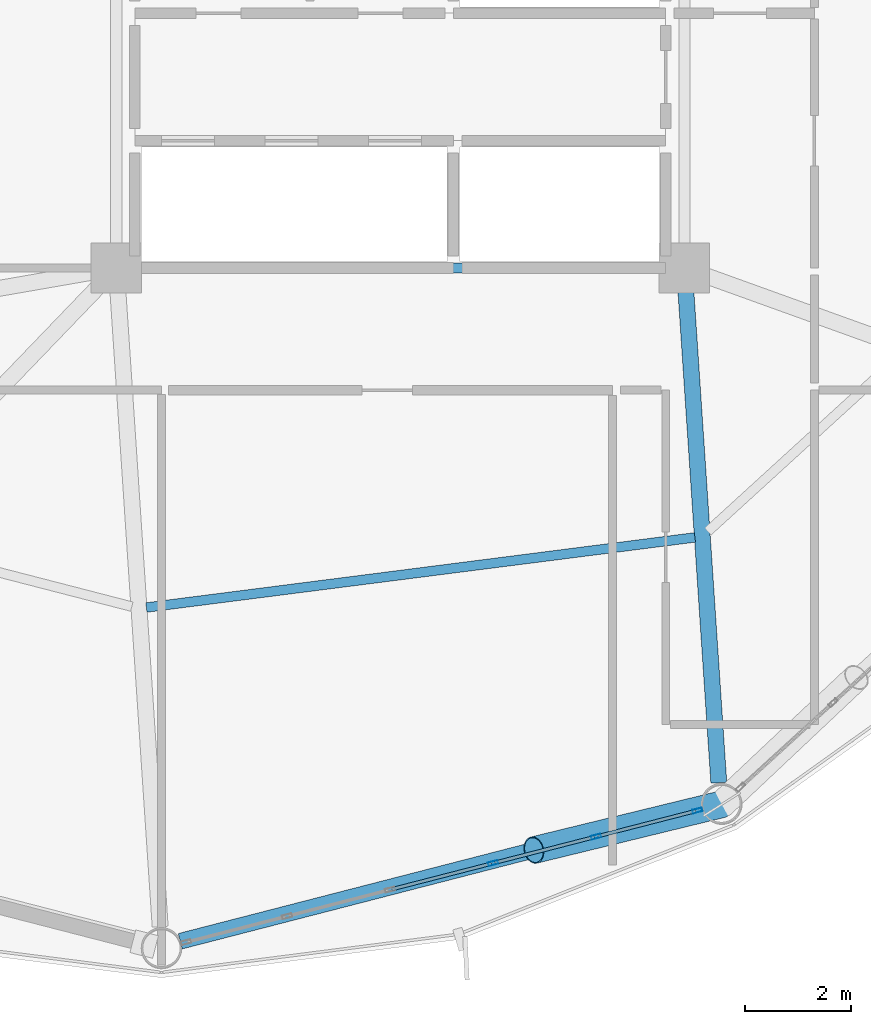
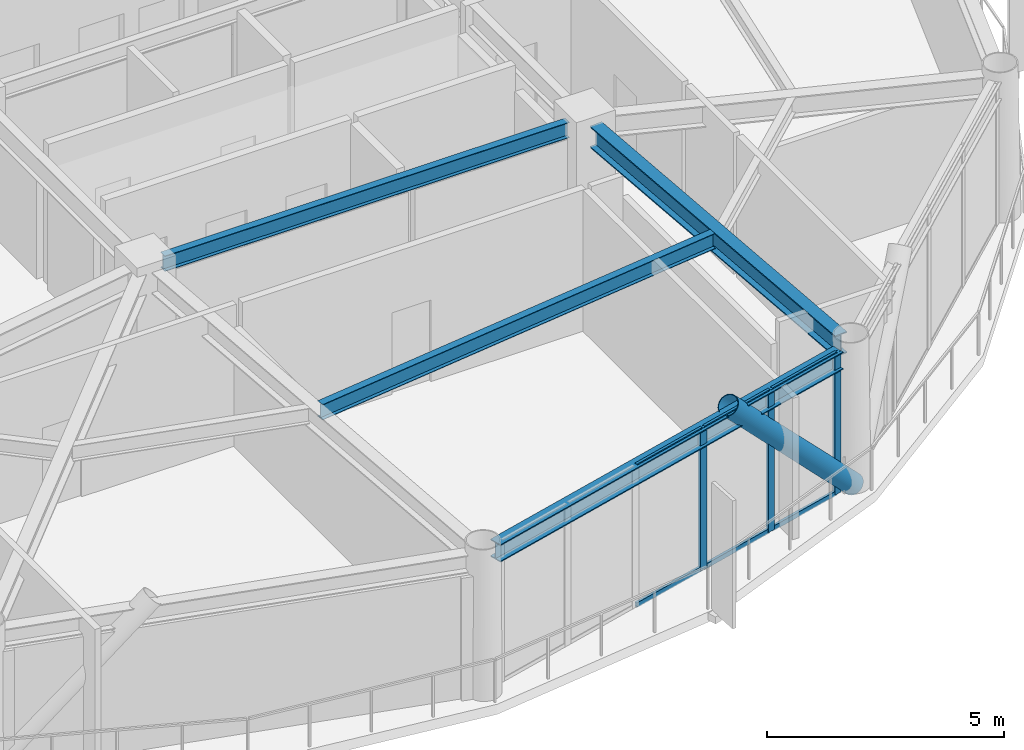
# One storey, part 7 of 25: 10 members, 4 beams, 1 element without a shape of its own.
"""IFC4 building model written with IfcOpenShell, lengths in metres."""

from ifc_helpers import new_model, si_unit, direction, frame, origin, origin_2d, place, context, subcontext, project, spatial, hollow_rectangle, hollow_circle, i_section, extrude, material, layer, layer_set, material_profile, profile_set, type_object, element, aggregate, save


model = new_model("IFC4")

# Units and contexts
model_context = context("Model", 3, precision=1e-05, world=origin(), true_north=direction((0.0, 1.0)))
body_context = subcontext(model_context, "Body", "Model", "MODEL_VIEW")
ifc_project = project(units=[si_unit("LENGTHUNIT", "METRE"), si_unit("AREAUNIT", "SQUARE_METRE"), si_unit("VOLUMEUNIT", "CUBIC_METRE"), si_unit("PLANEANGLEUNIT", "RADIAN"), si_unit("MASSUNIT", "GRAM", prefix="KILO")], contexts=[model_context])

# Site, building, storey
site_placement = place(None, origin())
site = spatial("IfcSite", under=ifc_project, at=site_placement, CompositionType="ELEMENT")
building_placement = place(site_placement, origin())
building = spatial("IfcBuilding", under=site, at=building_placement, Name="Varnakorn Sky Granary", CompositionType="ELEMENT")
storey_placement = place(building_placement, frame((0.0, 0.0, 122.699951171875)))
storey = spatial("IfcBuildingStorey", under=building, at=storey_placement, Name="L30", CompositionType="ELEMENT", Elevation=122.699951171875)

# Beams
ifc_material_1 = material(Name="Steel S355JR", Category="steel")
ifc_material_profile_1 = material_profile(ifc_material_1, i_section(OverallWidth=0.300048828125, OverallDepth=0.550048828125, WebThickness=0.014892578125, FlangeThickness=0.029052734375, at=origin_2d()), Name="HE 550 B")
ifc_profile_set_1 = profile_set([ifc_material_profile_1], Name="Steel S355JR")
beam_type_1 = type_object("IfcBeamType", Name="BM-RAD-Z3", PredefinedType="BEAM", material=ifc_profile_set_1)
beam_1_placement = place(storey_placement, frame((8.378173828125, -7.01904296875, 3.364990234375), z_axis=(0.06682398326, -0.997764779525, 0.0), x_axis=(0.997764779525, 0.06682398326, 0.0)))
element("IfcBeam", 1, at=beam_1_placement, inside=storey, type_object=beam_type_1, Name="Radial Floor Girder RG11 L30", PredefinedType="BEAM", context=body_context, shape_type="SweptSolid", body=[
    extrude(i_section(OverallWidth=0.300048828125, OverallDepth=0.550048828125, WebThickness=0.014892578125, FlangeThickness=0.029052734375, at=origin_2d()), origin(), (0.0, 0.0, 1.0), 9.298095703125),
])
ifc_material_profile_2 = material_profile(ifc_material_1, i_section(OverallWidth=0.179931640625, OverallDepth=0.39990234375, WebThickness=0.008544921875, FlangeThickness=0.013427734375, at=origin_2d()), Name="IPE 400")
ifc_profile_set_2 = profile_set([ifc_material_profile_2], Name="Steel S355JR")
beam_type_2 = type_object("IfcBeamType", Name="BM-SEC-Z3", PredefinedType="BEAM", material=ifc_profile_set_2)
beam_2_placement = place(storey_placement, frame((-1.7841796875, -12.99609375, 3.43994140625), z_axis=(0.991930854011, 0.126780049145, 0.0), x_axis=(-0.126780049145, 0.991930854011, 0.0)))
element("IfcBeam", 2, at=beam_2_placement, inside=storey, type_object=beam_type_2, Name="Secondary Floor Chord Beam MSB10 L30", PredefinedType="BEAM", context=body_context, shape_type="SweptSolid", body=[
    extrude(i_section(OverallWidth=0.179931640625, OverallDepth=0.39990234375, WebThickness=0.008544921875, FlangeThickness=0.013427734375, at=origin_2d()), origin(), (0.0, 0.0, 1.0), 10.41796875),
])
beam_3_placement = place(storey_placement, frame((-1.929931640625, -6.60009765625, 3.43994140625), z_axis=(1.0, 0.0, 0.0), x_axis=(0.0, 1.0, 0.0)))
element("IfcBeam", 3, at=beam_3_placement, inside=storey, type_object=beam_type_2, Name="Core Spine Framing Beam 6 L30", PredefinedType="BEAM", context=body_context, shape_type="SweptSolid", body=[
    extrude(i_section(OverallWidth=0.179931640625, OverallDepth=0.39990234375, WebThickness=0.008544921875, FlangeThickness=0.013427734375, at=origin_2d()), origin(), (0.0, 0.0, 1.0), 9.85986328125),
])
ifc_material_profile_3 = material_profile(ifc_material_1, i_section(OverallWidth=0.300048828125, OverallDepth=0.449951171875, WebThickness=0.013916015625, FlangeThickness=0.02587890625, at=origin_2d()), Name="HE 450 B")
ifc_profile_set_3 = profile_set([ifc_material_profile_3], Name="Steel S355JR")
beam_type_3 = type_object("IfcBeamType", Name="BM-SPD-Z3", PredefinedType="SPANDREL", material=ifc_profile_set_3)
beam_4_placement = place(storey_placement, frame((-1.1455078125, -19.28271484375, 3.4150390625), z_axis=(0.968347030914, 0.249607747715, 0.0), x_axis=(-0.249607747715, 0.968347030914, 0.0)))
element("IfcBeam", 4, at=beam_4_placement, inside=storey, type_object=beam_type_3, Name="Perimeter Spandrel Ring Beam RB10 L30", PredefinedType="SPANDREL", context=body_context, shape_type="SweptSolid", body=[
    extrude(i_section(OverallWidth=0.300048828125, OverallDepth=0.449951171875, WebThickness=0.013916015625, FlangeThickness=0.02587890625, at=origin_2d()), origin(), (0.0, 0.0, 1.0), 10.135986328125),
])

# Curtain wall, members
ifc_material_2 = material(Name="Anodised Bronze Aluminium Alloy 6063-T6", Category="aluminium")
ifc_layer = layer(ifc_material_2, 0.179931640625, Name="Anodised Bronze Aluminium Alloy 6063-T6")
ifc_layer_set = layer_set([ifc_layer], Name="Anodised Bronze Aluminium Alloy 6063-T6")
curtain_wall_type = type_object("IfcCurtainWallType", Name="CW-FRM-2", PredefinedType="USERDEFINED", material=ifc_layer_set)
curtain_wall_placement = place(storey_placement, origin())
curtain_wall = element("IfcCurtainWall", 5, at=curtain_wall_placement, inside=storey, type_object=curtain_wall_type, Name="Unitised Curtain Wall CW4 CW-L30-B10", ObjectType="CURTAIN WALL", PredefinedType="USERDEFINED")
ifc_material_profile_4 = material_profile(ifc_material_2, hollow_rectangle(XDim=0.070068359375, YDim=0.18505859375, WallThickness=0.00390625, at=origin_2d()), Name="ALU MULL 70x185")
ifc_profile_set_4 = profile_set([ifc_material_profile_4], Name="Anodised Bronze Aluminium Alloy 6063-T6")
member_type_1 = type_object("IfcMemberType", Name="CW-FRM-2-MULL", PredefinedType="MULLION", material=ifc_profile_set_4)
member_1_placement = place(storey_placement, frame((8.596435546875, -16.821044921875, 0.0), z_axis=(0.0, 0.0, 1.0), x_axis=(0.249384178066, -0.968404632233, 0.0)))
member_1 = element("IfcMember", 6, at=member_1_placement, type_object=member_type_1, Name="CW4 mullion 1", PredefinedType="MULLION", context=body_context, shape_type="SweptSolid", body=[
    extrude(hollow_rectangle(XDim=0.070068359375, YDim=0.18505859375, WallThickness=0.00390625, at=origin_2d()), origin(), (0.0, 0.0, 1.0), 3.64013671875),
])
member_2_placement = place(storey_placement, frame((6.689697265625, -17.31201171875, 0.0), z_axis=(0.0, 0.0, 1.0), x_axis=(0.249384178066, -0.968404632233, 0.0)))
member_2 = element("IfcMember", 7, at=member_2_placement, type_object=member_type_1, Name="CW4 mullion 2", PredefinedType="MULLION", context=body_context, shape_type="SweptSolid", body=[
    extrude(hollow_rectangle(XDim=0.070068359375, YDim=0.18505859375, WallThickness=0.00390625, at=origin_2d()), origin(), (0.0, 0.0, 1.0), 3.64013671875),
])
member_3_placement = place(storey_placement, frame((4.7490234375, -17.811767578125, 0.0), z_axis=(0.0, 0.0, 1.0), x_axis=(0.249384178066, -0.968404632233, 0.0)))
member_3 = element("IfcMember", 8, at=member_3_placement, type_object=member_type_1, Name="CW4 mullion 3", PredefinedType="MULLION", context=body_context, shape_type="SweptSolid", body=[
    extrude(hollow_rectangle(XDim=0.070068359375, YDim=0.18505859375, WallThickness=0.00390625, at=origin_2d()), origin(), (0.0, 0.0, 1.0), 3.64013671875),
])
ifc_material_profile_5 = material_profile(ifc_material_2, hollow_rectangle(XDim=0.06494140625, YDim=0.1201171875, WallThickness=0.00341796875, at=origin_2d()), Name="ALU TRAN 65x120")
ifc_profile_set_5 = profile_set([ifc_material_profile_5], Name="Anodised Bronze Aluminium Alloy 6063-T6")
member_type_2 = type_object("IfcMemberType", Name="CW-FRM-2-TRAN", PredefinedType="USERDEFINED", material=ifc_profile_set_5)
member_4_placement = place(storey_placement, frame((8.5625, -16.82958984375, 0.032470703125), z_axis=(-0.968393622062, -0.249426928678, 0.0), x_axis=(0.249426928678, -0.968393622062, 0.0)))
member_4 = element("IfcMember", 9, at=member_4_placement, type_object=member_type_2, Name="CW4 transom 1.1", ObjectType="TRANSOM", PredefinedType="USERDEFINED", context=body_context, shape_type="SweptSolid", body=[
    extrude(hollow_rectangle(XDim=0.06494140625, YDim=0.1201171875, WallThickness=0.00341796875, at=origin_2d()), origin(), (0.0, 0.0, 1.0), 1.89892578125),
])
member_5_placement = place(storey_placement, frame((8.5625, -16.82958984375, 3.607666015625), z_axis=(-0.968393622062, -0.249426928678, 0.0), x_axis=(0.249426928678, -0.968393622062, 0.0)))
member_5 = element("IfcMember", 10, at=member_5_placement, type_object=member_type_2, Name="CW4 transom 1.2", ObjectType="TRANSOM", PredefinedType="USERDEFINED", context=body_context, shape_type="SweptSolid", body=[
    extrude(hollow_rectangle(XDim=0.06494140625, YDim=0.1201171875, WallThickness=0.00341796875, at=origin_2d()), origin(), (0.0, 0.0, 1.0), 1.89892578125),
])
member_6_placement = place(storey_placement, frame((6.65576171875, -17.32080078125, 0.032470703125), z_axis=(-0.968418070444, -0.249331989197, 0.0), x_axis=(0.249331989197, -0.968418070444, 0.0)))
member_6 = element("IfcMember", 11, at=member_6_placement, type_object=member_type_2, Name="CW4 transom 2.1", ObjectType="TRANSOM", PredefinedType="USERDEFINED", context=body_context, shape_type="SweptSolid", body=[
    extrude(hollow_rectangle(XDim=0.06494140625, YDim=0.1201171875, WallThickness=0.00341796875, at=origin_2d()), origin(), (0.0, 0.0, 1.0), 1.933837890625),
])
member_7_placement = place(storey_placement, frame((6.65576171875, -17.32080078125, 3.607666015625), z_axis=(-0.968418070444, -0.249331989197, 0.0), x_axis=(0.249331989197, -0.968418070444, 0.0)))
member_7 = element("IfcMember", 12, at=member_7_placement, type_object=member_type_2, Name="CW4 transom 2.2", ObjectType="TRANSOM", PredefinedType="USERDEFINED", context=body_context, shape_type="SweptSolid", body=[
    extrude(hollow_rectangle(XDim=0.06494140625, YDim=0.1201171875, WallThickness=0.00341796875, at=origin_2d()), origin(), (0.0, 0.0, 1.0), 1.933837890625),
])
member_8_placement = place(storey_placement, frame((4.715087890625, -17.820556640625, 0.032470703125), z_axis=(-0.968418070444, -0.249331989197, 0.0), x_axis=(0.249331989197, -0.968418070444, 0.0)))
member_8 = element("IfcMember", 13, at=member_8_placement, type_object=member_type_2, Name="CW4 transom 3.1", ObjectType="TRANSOM", PredefinedType="USERDEFINED", context=body_context, shape_type="SweptSolid", body=[
    extrude(hollow_rectangle(XDim=0.06494140625, YDim=0.1201171875, WallThickness=0.00341796875, at=origin_2d()), origin(), (0.0, 0.0, 1.0), 1.933837890625),
])
member_9_placement = place(storey_placement, frame((4.715087890625, -17.820556640625, 3.607666015625), z_axis=(-0.968418070444, -0.249331989197, 0.0), x_axis=(0.249331989197, -0.968418070444, 0.0)))
member_9 = element("IfcMember", 14, at=member_9_placement, type_object=member_type_2, Name="CW4 transom 3.2", ObjectType="TRANSOM", PredefinedType="USERDEFINED", context=body_context, shape_type="SweptSolid", body=[
    extrude(hollow_rectangle(XDim=0.06494140625, YDim=0.1201171875, WallThickness=0.00341796875, at=origin_2d()), origin(), (0.0, 0.0, 1.0), 1.933837890625),
])
aggregate(curtain_wall, [member_1, member_2, member_3, member_4, member_5, member_6, member_7, member_8, member_9])

# Member
ifc_material_3 = material(Name="Steel S460M", Category="steel")
ifc_material_profile_6 = material_profile(ifc_material_3, hollow_circle(Radius=0.25390625, WallThickness=0.01806640625, at=origin_2d()), Name="CHS 508x18")
ifc_profile_set_6 = profile_set([ifc_material_profile_6], Name="Steel S460M")
member_type_3 = type_object("IfcMemberType", Name="MB-DIAG-T2", PredefinedType="BRACE", material=ifc_profile_set_6)
member_10_placement = place(storey_placement, frame((9.0576171875, -16.7021484375, 0.0), z_axis=(-0.673475686356, -0.164213670388, 0.720738767061), x_axis=(0.236889881728, -0.971536506743, 0.0)))
element("IfcMember", 15, at=member_10_placement, inside=storey, type_object=member_type_3, Name="Perimeter CHS Diagrid Brace DG10 L30", PredefinedType="BRACE", context=body_context, shape_type="SweptSolid", body=[
    extrude(hollow_circle(Radius=0.25390625, WallThickness=0.01806640625, at=origin_2d()), origin(), (0.0, 0.0, 1.0), 5.258544921875),
])

save(model, "model.ifc")
